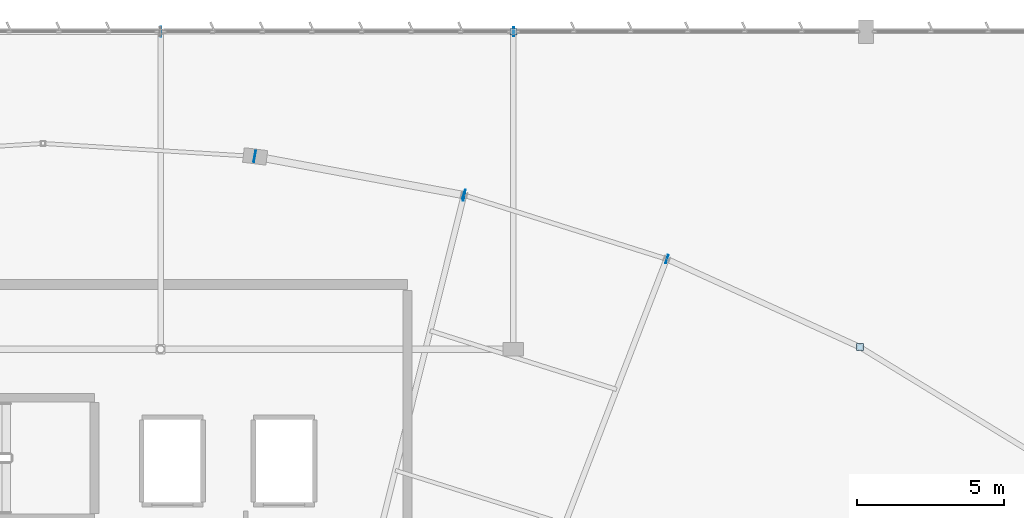
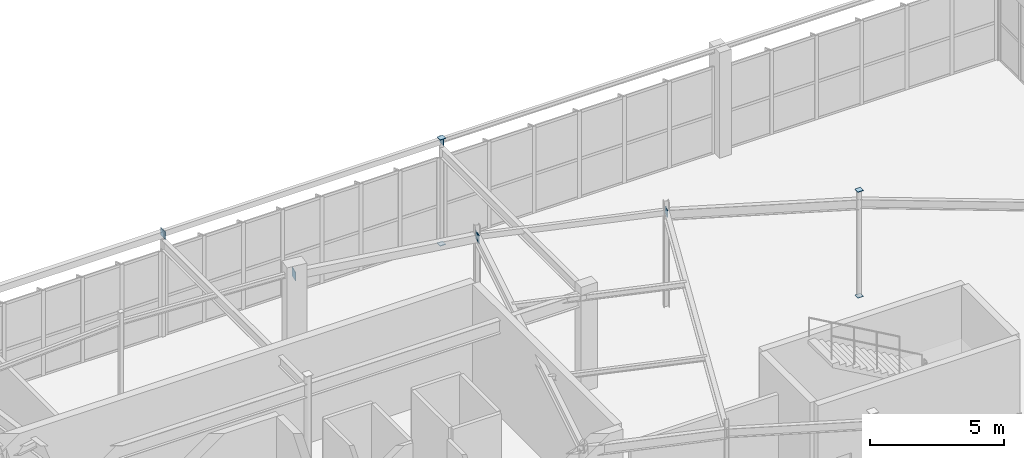
# One storey, part 144 of 186: 10 plates.
"""IFC4 building model written with IfcOpenShell, lengths in metres."""

from ifc_helpers import new_model, si_unit, direction, frame, origin, origin_2d, place, context, subcontext, project, spatial, rectangle, extrude, material, layer, layer_set, type_object, element, save


model = new_model("IFC4")

# Units and contexts
model_context = context("Model", 3, precision=1e-05, world=origin(), true_north=direction((0.0, 1.0)))
body_context = subcontext(model_context, "Body", "Model", "MODEL_VIEW")
ifc_project = project(units=[si_unit("LENGTHUNIT", "METRE"), si_unit("AREAUNIT", "SQUARE_METRE"), si_unit("VOLUMEUNIT", "CUBIC_METRE"), si_unit("PLANEANGLEUNIT", "RADIAN"), si_unit("MASSUNIT", "GRAM", prefix="KILO")], contexts=[model_context])

# Site, building, storey
site_placement = place(None, origin())
site = spatial("IfcSite", under=ifc_project, at=site_placement, CompositionType="ELEMENT")
building_placement = place(site_placement, origin())
building = spatial("IfcBuilding", under=site, at=building_placement, Name="Tarnwether General Hospital", CompositionType="ELEMENT")
storey_placement = place(building_placement, frame((0.0, 0.0, 9.60009765625)))
storey = spatial("IfcBuildingStorey", under=building, at=storey_placement, Name="L02", CompositionType="ELEMENT", Elevation=9.60009765625)

# Plates
ifc_material = material(Name="Steel Grade 350 (350 MPa)", Category="steel")
ifc_layer = layer(ifc_material, 0.02490234375)
ifc_layer_set = layer_set([ifc_layer], Name="Steel Grade 350 (350 MPa)")
plate_type = type_object("IfcPlateType", Name="PT-GUS2", PredefinedType="USERDEFINED", material=ifc_layer_set)
for number, where, z_axis, x_axis, name in (
    (1, (108.0, 126.0, -0.025146484375), (0.0, 0.0, 1.0), (1.0, 0.0, 0.0), "Hollow Section Welded End Cap Plate 0211"),
    (2, (108.0, 126.0, 4.800048828125), (0.0, 0.0, 1.0), (1.0, 0.0, 0.0), "Hollow Section Welded End Cap Plate 0212"),
    (3, (119.79296875, 115.27001953125, -0.025146484375), (0.0, 0.0, 1.0), (1.0, 0.0, 0.0), "Hollow Section Welded End Cap Plate 0581"),
    (4, (119.79296875, 115.27001953125, 4.800048828125), (0.0, 0.0, 1.0), (1.0, 0.0, 0.0), "Hollow Section Welded End Cap Plate 0582"),
):
    element("IfcPlate", number, at=place(storey_placement, frame(where, z_axis=z_axis, x_axis=x_axis)), inside=storey, type_object=plate_type, Name=name, ObjectType="GUSSET", PredefinedType="USERDEFINED", context=body_context, shape_type="SweptSolid", body=[
        extrude(rectangle(XDim=0.23388671875, YDim=0.23388671875, at=origin_2d()), origin(), (0.0, 0.0, 1.0), 0.02490234375),
    ])
plate_1_placement = place(storey_placement, frame((96.012451171875, 126.0, 4.47998046875), z_axis=(0.0, 0.0, 1.0), x_axis=(1.0, 0.0, 0.0)))
element("IfcPlate", 5, at=plate_1_placement, inside=storey, type_object=plate_type, Name="Hollow Section Welded End Cap Plate 0958", ObjectType="GUSSET", PredefinedType="USERDEFINED", context=body_context, shape_type="SweptSolid", body=[
    extrude(rectangle(XDim=0.02490234375, YDim=0.340087890625, at=origin_2d()), origin(), (0.0, 0.0, 1.0), 0.340087890625),
])
plate_2_placement = place(storey_placement, frame((108.012451171875, 126.0, 4.52978515625), z_axis=(0.0, 0.0, 1.0), x_axis=(1.0, 0.0, 0.0)))
element("IfcPlate", 6, at=plate_2_placement, inside=storey, type_object=plate_type, Name="Hollow Section Welded End Cap Plate 0960", ObjectType="GUSSET", PredefinedType="USERDEFINED", context=body_context, shape_type="SweptSolid", body=[
    extrude(rectangle(XDim=0.02490234375, YDim=0.2900390625, at=origin_2d()), origin(), (0.0, 0.0, 1.0), 0.2900390625),
])
for number, where, z_axis, x_axis, name in (
    (7, (99.20263671875, 121.76123046875, 4.06005859375), (0.0, 0.0, 1.0), (0.983261268185, -0.18220120331, 0.0), "Hollow Section Welded End Cap Plate 0997"),
    (8, (106.334228515625, 120.439697265625, 4.06005859375), (0.0, 0.0, 1.0), (0.983261268185, -0.18220120331, 0.0), "Hollow Section Welded End Cap Plate 0998"),
):
    element("IfcPlate", number, at=place(storey_placement, frame(where, z_axis=z_axis, x_axis=x_axis)), inside=storey, type_object=plate_type, Name=name, ObjectType="GUSSET", PredefinedType="USERDEFINED", context=body_context, shape_type="SweptSolid", body=[
        extrude(rectangle(XDim=0.02490234375, YDim=0.389892578125, at=origin_2d()), origin(), (0.0, 0.0, 1.0), 0.389892578125),
    ])
for number, where, z_axis, x_axis, name in (
    (9, (106.31005859375, 120.44580078125, 4.159912109375), (0.0, 0.0, 1.0), (0.953690705585, -0.300789025864, 0.0), "Hollow Section Welded End Cap Plate 1001"),
    (10, (113.226806640625, 118.26416015625, 4.159912109375), (0.0, 0.0, 1.0), (0.953690705585, -0.300789025864, 0.0), "Hollow Section Welded End Cap Plate 1002"),
):
    element("IfcPlate", number, at=place(storey_placement, frame(where, z_axis=z_axis, x_axis=x_axis)), inside=storey, type_object=plate_type, Name=name, ObjectType="GUSSET", PredefinedType="USERDEFINED", context=body_context, shape_type="SweptSolid", body=[
        extrude(rectangle(XDim=0.02490234375, YDim=0.2900390625, at=origin_2d()), origin(), (0.0, 0.0, 1.0), 0.2900390625),
    ])

save(model, "model.ifc")
